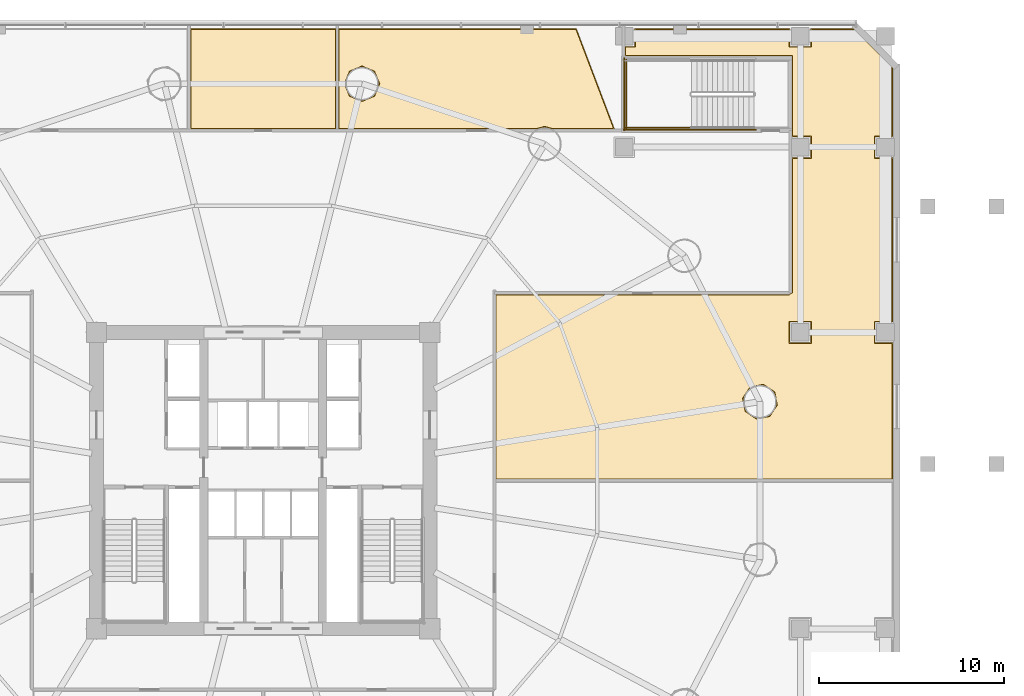
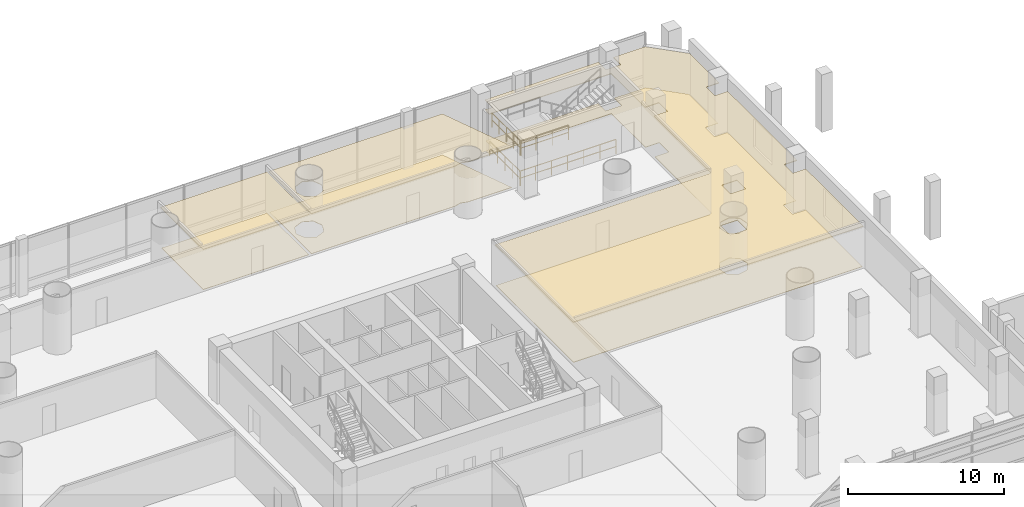
# One storey, part 32 of 36: 6 coverings, 4 railings.
"""IFC4 building model written with IfcOpenShell, lengths in metres."""

from ifc_helpers import new_model, si_unit, direction, frame, origin, origin_2d, place, context, subcontext, project, spatial, polyline, rectangle, outline, extrude, material, layer, layer_set, type_object, element, save


model = new_model("IFC4")

# Units and contexts
model_context = context("Model", 3, precision=1e-05, world=origin(), true_north=direction((-0.2419218956, 0.970295726276)))
body_context = subcontext(model_context, "Body", "Model", "MODEL_VIEW")
ifc_project = project(units=[si_unit("LENGTHUNIT", "METRE"), si_unit("AREAUNIT", "SQUARE_METRE"), si_unit("VOLUMEUNIT", "CUBIC_METRE"), si_unit("PLANEANGLEUNIT", "RADIAN"), si_unit("MASSUNIT", "GRAM", prefix="KILO")], contexts=[model_context])

# Site, building, storey
site_placement = place(None, origin())
site = spatial("IfcSite", under=ifc_project, at=site_placement, CompositionType="ELEMENT")
building_placement = place(site_placement, origin())
building = spatial("IfcBuilding", under=site, at=building_placement, Name="Cobrevalo Terracotta Tower", CompositionType="ELEMENT")
storey_placement = place(building_placement, frame((0.0, 0.0, 9.89990234375)))
storey = spatial("IfcBuildingStorey", under=building, at=storey_placement, Name="L02", CompositionType="ELEMENT", Elevation=9.89990234375)

# Coverings
ifc_material_1 = material(Name="Honed terracotta and granite tile", Category="masonry")
ifc_layer_1 = layer(ifc_material_1, 0.034912109375)
ifc_layer_set_1 = layer_set([ifc_layer_1], Name="Honed terracotta and granite tile")
covering_type_1 = type_object("IfcCoveringType", Name="Honed Terracotta & Granite Interior Flooring 35", PredefinedType="FLOORING", material=ifc_layer_set_1)
covering_1_placement = place(storey_placement, origin())
element("IfcCovering", 1, at=covering_1_placement, inside=storey, type_object=covering_type_1, Name="L02 Private Meeting Suite floor finish", PredefinedType="FLOORING", context=body_context, shape_type="SweptSolid", body=[
    extrude(outline(polyline([(50.580078125, 26.89990234375), (50.580078125, 36.820068359375), (66.40185546875, 36.820068359375), (66.572998046875, 36.947509765625), (66.578857421875, 44.199951171875), (67.60009765625, 44.199951171875), (67.60009765625, 45.39990234375), (66.579833984375, 45.39990234375), (66.570068359375, 49.739990234375), (57.550048828125, 49.739990234375), (57.550048828125, 50.199951171875), (58.10009765625, 50.199951171875), (58.10009765625, 51.159912109375), (66.39990234375, 51.159912109375), (66.39990234375, 50.199951171875), (67.60009765625, 50.199951171875), (67.60009765625, 51.159912109375), (69.921630859375, 51.159912109375), (71.9599609375, 49.121826171875), (71.9599609375, 45.39990234375), (71.0, 45.39990234375), (71.0, 44.199951171875), (71.9599609375, 44.199951171875), (71.9599609375, 35.39990234375), (71.0, 35.39990234375), (71.0, 34.199951171875), (71.9599609375, 34.199951171875), (71.9599609375, 26.89990234375), (50.580078125, 26.89990234375)]), holes=[polyline([(66.39990234375, 34.199951171875), (67.60009765625, 34.199951171875), (67.60009765625, 35.39990234375), (66.39990234375, 35.39990234375), (66.39990234375, 34.199951171875)]), polyline([(65.35791015625, 30.264404296875), (65.76611328125, 30.87548828125), (65.622802734375, 31.59619140625), (65.01171875, 32.00439453125), (64.291015625, 31.861083984375), (63.8828125, 31.25), (64.026123046875, 30.529296875), (64.63720703125, 30.12109375), (65.35791015625, 30.264404296875)])]), origin(), (0.0, 0.0, 1.0), 0.030029296875),
])
covering_2_placement = place(storey_placement, origin())
element("IfcCovering", 2, at=covering_2_placement, inside=storey, type_object=covering_type_1, Name="L02 Accessible Restroom WC floor finish", PredefinedType="FLOORING", context=body_context, shape_type="SweptSolid", body=[
    extrude(outline(polyline([(41.89990234375, 45.800048828125), (34.10009765625, 45.800048828125), (34.10009765625, 51.159912109375), (41.89990234375, 51.159912109375), (41.89990234375, 45.800048828125)])), origin(), (0.0, 0.0, 1.0), 0.030029296875),
])
covering_3_placement = place(storey_placement, origin())
element("IfcCovering", 3, at=covering_3_placement, inside=storey, type_object=covering_type_1, Name="L02 Podium Housekeeping Store floor finish", PredefinedType="FLOORING", context=body_context, shape_type="SweptSolid", body=[
    extrude(outline(polyline([(56.9208984375, 45.800048828125), (53.66455078125, 45.800048828125), (53.19482421875, 45.927734375), (52.725341796875, 45.800048828125), (42.10009765625, 45.800048828125), (42.10009765625, 51.159912109375), (54.88623046875, 51.159912109375), (56.9208984375, 45.800048828125)]), holes=[polyline([(44.0146484375, 47.55126953125), (44.2958984375, 48.230224609375), (44.0146484375, 48.908935546875), (43.335693359375, 49.190185546875), (42.65673828125, 48.908935546875), (42.375732421875, 48.230224609375), (42.65673828125, 47.55126953125), (43.335693359375, 47.27001953125), (44.0146484375, 47.55126953125)])]), origin(), (0.0, 0.0, 1.0), 0.030029296875),
])
ifc_material_2 = material(Name="Moisture-resistant mineral fibre ceiling", Category="gypsum")
ifc_layer_2 = layer(ifc_material_2, 0.0400390625)
ifc_layer_set_2 = layer_set([ifc_layer_2], Name="Moisture-resistant mineral fibre ceiling")
covering_type_2 = type_object("IfcCoveringType", Name="Moisture-Resistant Wet-Room Ceiling 40", PredefinedType="CEILING", material=ifc_layer_set_2)
covering_4_placement = place(storey_placement, frame((0.0, 0.0, 3.16015625)))
element("IfcCovering", 4, at=covering_4_placement, inside=storey, type_object=covering_type_2, Name="L02 Accessible Restroom WC acoustic ceiling", PredefinedType="CEILING", context=body_context, shape_type="SweptSolid", body=[
    extrude(outline(polyline([(41.945068359375, 45.7548828125), (34.054931640625, 45.7548828125), (34.054931640625, 51.205078125), (41.945068359375, 51.205078125), (41.945068359375, 45.7548828125)])), origin(), (0.0, 0.0, 1.0), 0.050048828125),
])
ifc_material_3 = material(Name="Acoustic perforated gypsum ceiling", Category="gypsum")
ifc_layer_3 = layer(ifc_material_3, 0.050048828125)
ifc_layer_set_3 = layer_set([ifc_layer_3], Name="Acoustic perforated gypsum ceiling")
covering_type_3 = type_object("IfcCoveringType", Name="Perforated Acoustic Gypsum Ceiling 50", PredefinedType="CEILING", material=ifc_layer_set_3)
covering_5_placement = place(storey_placement, frame((0.0, 0.0, 3.16015625)))
element("IfcCovering", 5, at=covering_5_placement, inside=storey, type_object=covering_type_3, Name="L02 Private Meeting Suite acoustic ceiling", PredefinedType="CEILING", context=body_context, shape_type="SweptSolid", body=[
    extrude(outline(polyline([(50.534912109375, 26.85498046875), (50.534912109375, 36.864990234375), (66.3974609375, 36.864990234375), (66.528076171875, 36.961181640625), (66.533935546875, 44.2451171875), (67.554931640625, 44.2451171875), (67.554931640625, 45.35498046875), (66.53466796875, 45.35498046875), (66.52490234375, 49.695068359375), (57.5048828125, 49.695068359375), (57.5048828125, 50.2451171875), (58.054931640625, 50.2451171875), (58.054931640625, 51.205078125), (66.445068359375, 51.205078125), (66.445068359375, 50.2451171875), (67.554931640625, 50.2451171875), (67.554931640625, 51.205078125), (69.9404296875, 51.205078125), (72.0048828125, 49.140380859375), (72.0048828125, 45.35498046875), (71.044921875, 45.35498046875), (71.044921875, 44.2451171875), (72.0048828125, 44.2451171875), (72.0048828125, 35.35498046875), (71.044921875, 35.35498046875), (71.044921875, 34.2451171875), (72.0048828125, 34.2451171875), (72.0048828125, 26.85498046875), (50.534912109375, 26.85498046875)]), holes=[polyline([(66.445068359375, 34.2451171875), (67.554931640625, 34.2451171875), (67.554931640625, 35.35498046875), (66.445068359375, 35.35498046875), (66.445068359375, 34.2451171875)]), polyline([(65.332763671875, 30.302001953125), (65.7216796875, 30.88427734375), (65.585205078125, 31.571044921875), (65.0029296875, 31.9599609375), (64.316162109375, 31.823486328125), (63.92724609375, 31.2412109375), (64.063720703125, 30.554443359375), (64.64599609375, 30.16552734375), (65.332763671875, 30.302001953125)])]), origin(), (0.0, 0.0, 1.0), 0.050048828125),
])
covering_6_placement = place(storey_placement, frame((0.0, 0.0, 3.16015625)))
element("IfcCovering", 6, at=covering_6_placement, inside=storey, type_object=covering_type_3, Name="L02 Podium Housekeeping Store acoustic ceiling", PredefinedType="CEILING", context=body_context, shape_type="SweptSolid", body=[
    extrude(outline(polyline([(56.986328125, 45.7548828125), (53.653076171875, 45.7548828125), (53.19482421875, 45.882568359375), (52.736572265625, 45.7548828125), (42.054931640625, 45.7548828125), (42.054931640625, 51.205078125), (54.917236328125, 51.205078125), (56.986328125, 45.7548828125)]), holes=[polyline([(43.982666015625, 47.583251953125), (44.25048828125, 48.230224609375), (43.982666015625, 48.877197265625), (43.335693359375, 49.14501953125), (42.688720703125, 48.877197265625), (42.4208984375, 48.230224609375), (42.688720703125, 47.583251953125), (43.335693359375, 47.315185546875), (43.982666015625, 47.583251953125)])]), origin(), (0.0, 0.0, 1.0), 0.050048828125),
])

# Railings
ifc_material_4 = material(Name="Painted galvanized steel", Category="steel")
railing_type = type_object("IfcRailingType", Name="Stair Well Guard Balustrade 1150", PredefinedType="GUARDRAIL", material=ifc_material_4)
railing_1_placement = place(storey_placement, frame((61.139892578125, 45.85009765625, 2.25)))
element("IfcRailing", 7, at=railing_1_placement, inside=storey, type_object=railing_type, Name="L02 ST-P2 stair guard 4", PredefinedType="GUARDRAIL", context=body_context, shape_type="SweptSolid", body=[
    extrude(rectangle(XDim=0.048095703125, YDim=0.048095703125, at=origin_2d()), frame((0.0, 0.0, 1.1259765625), z_axis=(-1.0, 0.0, 0.0), x_axis=(0.0, -1.0, 0.0)), (0.0, 0.0, 1.0), 3.58984375),
    extrude(rectangle(XDim=0.048095703125, YDim=0.048095703125, at=origin_2d()), frame((0.0, 0.0, 0.574951171875), z_axis=(-1.0, 0.0, 0.0), x_axis=(0.0, -1.0, 0.0)), (0.0, 0.0, 1.0), 3.58984375),
    extrude(rectangle(XDim=0.0419921875, YDim=0.0419921875, at=origin_2d()), origin(), (0.0, 0.0, 1.0), 1.101806640625),
    extrude(rectangle(XDim=0.0419921875, YDim=0.0419921875, at=origin_2d()), frame((-1.196533203125, 0.0, 0.0)), (0.0, 0.0, 1.0), 1.101806640625),
    extrude(rectangle(XDim=0.0419921875, YDim=0.0419921875, at=origin_2d()), frame((-2.393310546875, 0.0, 0.0)), (0.0, 0.0, 1.0), 1.101806640625),
    extrude(rectangle(XDim=0.0419921875, YDim=0.0419921875, at=origin_2d()), frame((-3.58984375, 0.0, 0.0)), (0.0, 0.0, 1.0), 1.101806640625),
])
railing_2_placement = place(storey_placement, frame((57.60009765625, 49.52001953125, 2.25)))
element("IfcRailing", 8, at=railing_2_placement, inside=storey, type_object=railing_type, Name="L02 ST-P2 stair guard 5", PredefinedType="GUARDRAIL", context=body_context, shape_type="SweptSolid", body=[
    extrude(rectangle(XDim=0.048095703125, YDim=0.048095703125, at=origin_2d()), frame((0.0, 0.0, 1.1259765625), z_axis=(0.0, -1.0, 0.0), x_axis=(1.0, 0.0, 0.0)), (0.0, 0.0, 1.0), 3.719970703125),
    extrude(rectangle(XDim=0.048095703125, YDim=0.048095703125, at=origin_2d()), frame((0.0, 0.0, 0.574951171875), z_axis=(0.0, -1.0, 0.0), x_axis=(1.0, 0.0, 0.0)), (0.0, 0.0, 1.0), 3.719970703125),
    extrude(rectangle(XDim=0.0419921875, YDim=0.0419921875, at=origin_2d()), origin(), (0.0, 0.0, 1.0), 1.101806640625),
    extrude(rectangle(XDim=0.0419921875, YDim=0.0419921875, at=origin_2d()), frame((0.0, -0.929931640625, 0.0)), (0.0, 0.0, 1.0), 1.101806640625),
    extrude(rectangle(XDim=0.0419921875, YDim=0.0419921875, at=origin_2d()), frame((0.0, -1.85986328125, 0.0)), (0.0, 0.0, 1.0), 1.101806640625),
    extrude(rectangle(XDim=0.0419921875, YDim=0.0419921875, at=origin_2d()), frame((0.0, -2.7900390625, 0.0)), (0.0, 0.0, 1.0), 1.101806640625),
    extrude(rectangle(XDim=0.0419921875, YDim=0.0419921875, at=origin_2d()), frame((0.0, -3.719970703125, 0.0)), (0.0, 0.0, 1.0), 1.101806640625),
])
railing_3_placement = place(storey_placement, frame((64.60009765625, 45.75, 0.0)))
element("IfcRailing", 9, at=railing_3_placement, inside=storey, type_object=railing_type, Name="L02 ST-P2 stair guard 11", PredefinedType="GUARDRAIL", context=body_context, shape_type="SweptSolid", body=[
    extrude(rectangle(XDim=0.048095703125, YDim=0.048095703125, at=origin_2d()), frame((0.0, 0.0, 1.1259765625), z_axis=(-1.0, 0.0, 0.0), x_axis=(0.0, -1.0, 0.0)), (0.0, 0.0, 1.0), 7.150146484375),
    extrude(rectangle(XDim=0.048095703125, YDim=0.048095703125, at=origin_2d()), frame((0.0, 0.0, 0.574951171875), z_axis=(-1.0, 0.0, 0.0), x_axis=(0.0, -1.0, 0.0)), (0.0, 0.0, 1.0), 7.150146484375),
    extrude(rectangle(XDim=0.0419921875, YDim=0.0419921875, at=origin_2d()), origin(), (0.0, 0.0, 1.0), 1.101806640625),
    extrude(rectangle(XDim=0.0419921875, YDim=0.0419921875, at=origin_2d()), frame((-1.191650390625, 0.0, 0.0)), (0.0, 0.0, 1.0), 1.101806640625),
    extrude(rectangle(XDim=0.0419921875, YDim=0.0419921875, at=origin_2d()), frame((-2.38330078125, 0.0, 0.0)), (0.0, 0.0, 1.0), 1.101806640625),
    extrude(rectangle(XDim=0.0419921875, YDim=0.0419921875, at=origin_2d()), frame((-3.5751953125, 0.0, 0.0)), (0.0, 0.0, 1.0), 1.101806640625),
    extrude(rectangle(XDim=0.0419921875, YDim=0.0419921875, at=origin_2d()), frame((-4.766845703125, 0.0, 0.0)), (0.0, 0.0, 1.0), 1.101806640625),
    extrude(rectangle(XDim=0.0419921875, YDim=0.0419921875, at=origin_2d()), frame((-5.95849609375, 0.0, 0.0)), (0.0, 0.0, 1.0), 1.101806640625),
    extrude(rectangle(XDim=0.0419921875, YDim=0.0419921875, at=origin_2d()), frame((-7.150146484375, 0.0, 0.0)), (0.0, 0.0, 1.0), 1.101806640625),
])
railing_4_placement = place(storey_placement, frame((57.5, 49.6201171875, 0.0)))
element("IfcRailing", 10, at=railing_4_placement, inside=storey, type_object=railing_type, Name="L02 ST-P2 stair guard 12", PredefinedType="GUARDRAIL", context=body_context, shape_type="SweptSolid", body=[
    extrude(rectangle(XDim=0.048095703125, YDim=0.048095703125, at=origin_2d()), frame((0.0, 0.0, 1.1259765625), z_axis=(0.0, -1.0, 0.0), x_axis=(1.0, 0.0, 0.0)), (0.0, 0.0, 1.0), 3.920166015625),
    extrude(rectangle(XDim=0.048095703125, YDim=0.048095703125, at=origin_2d()), frame((0.0, 0.0, 0.574951171875), z_axis=(0.0, -1.0, 0.0), x_axis=(1.0, 0.0, 0.0)), (0.0, 0.0, 1.0), 3.920166015625),
    extrude(rectangle(XDim=0.0419921875, YDim=0.0419921875, at=origin_2d()), origin(), (0.0, 0.0, 1.0), 1.101806640625),
    extrude(rectangle(XDim=0.0419921875, YDim=0.0419921875, at=origin_2d()), frame((0.0, -0.97998046875, 0.0)), (0.0, 0.0, 1.0), 1.101806640625),
    extrude(rectangle(XDim=0.0419921875, YDim=0.0419921875, at=origin_2d()), frame((0.0, -1.9599609375, 0.0)), (0.0, 0.0, 1.0), 1.101806640625),
    extrude(rectangle(XDim=0.0419921875, YDim=0.0419921875, at=origin_2d()), frame((0.0, -2.940185546875, 0.0)), (0.0, 0.0, 1.0), 1.101806640625),
    extrude(rectangle(XDim=0.0419921875, YDim=0.0419921875, at=origin_2d()), frame((0.0, -3.920166015625, 0.0)), (0.0, 0.0, 1.0), 1.101806640625),
])

save(model, "model.ifc")
